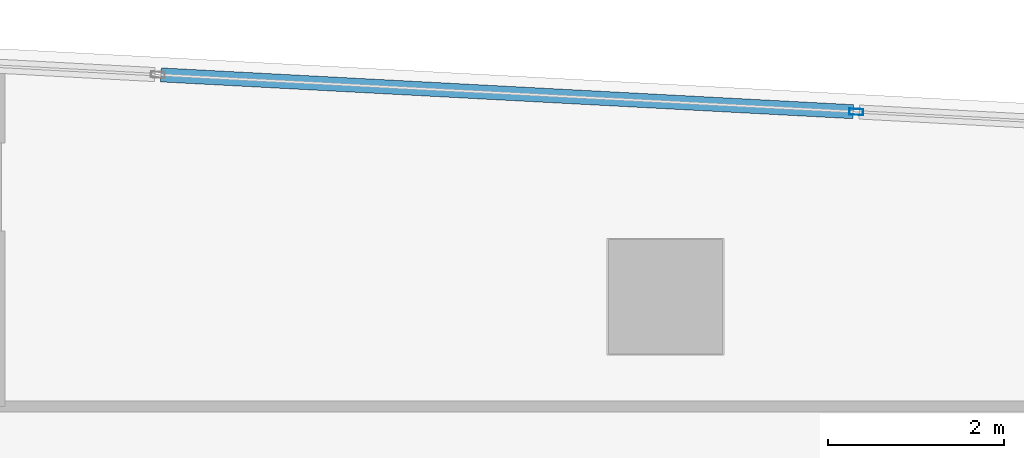
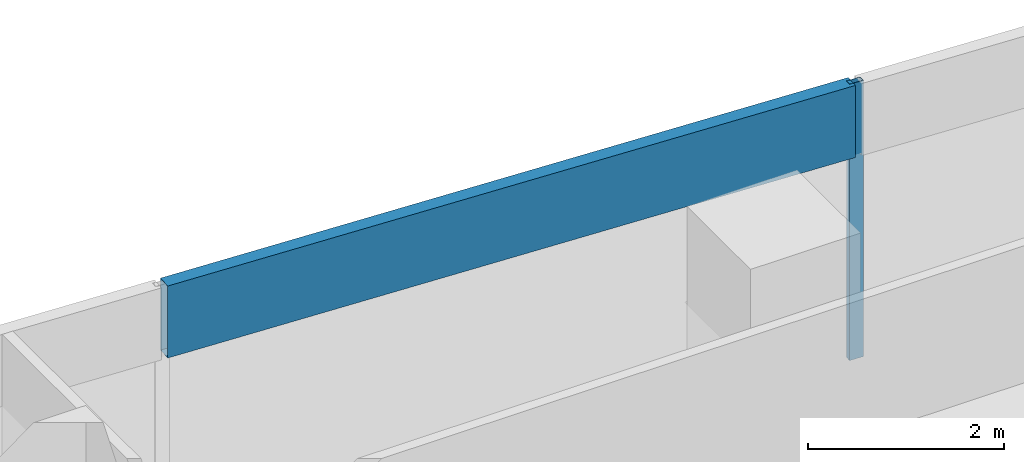
# One storey, part 18 of 30: 2 members, 1 element without a shape of its own.
"""IFC4 building model written with IfcOpenShell, lengths in metres."""

from ifc_helpers import new_model, si_unit, direction, frame, origin, origin_2d, place, context, subcontext, project, spatial, hollow_rectangle, extrude, material, material_profile, profile_set, type_object, element, aggregate, save


model = new_model("IFC4")

# Units and contexts
model_context = context("Model", 3, precision=1e-05, world=origin(), true_north=direction((0.0, 1.0)))
body_context = subcontext(model_context, "Body", "Model", "MODEL_VIEW")
ifc_project = project(units=[si_unit("LENGTHUNIT", "METRE"), si_unit("AREAUNIT", "SQUARE_METRE"), si_unit("VOLUMEUNIT", "CUBIC_METRE"), si_unit("PLANEANGLEUNIT", "RADIAN"), si_unit("MASSUNIT", "GRAM", prefix="KILO")], contexts=[model_context])

# Site, building, storey
site_placement = place(None, origin())
site = spatial("IfcSite", under=ifc_project, at=site_placement, CompositionType="ELEMENT")
building_placement = place(site_placement, origin())
building = spatial("IfcBuilding", under=site, at=building_placement, Name="Rekha Terrace Tower", CompositionType="ELEMENT")
storey_placement = place(building_placement, frame((0.0, 0.0, 287.60009765625)))
storey = spatial("IfcBuildingStorey", under=building, at=storey_placement, Name="L73", CompositionType="ELEMENT", Elevation=287.60009765625)

# Curtain wall, members
ifc_material_1 = material(Name="Aluminium framing", Category="aluminium")
curtain_wall_type = type_object("IfcCurtainWallType", Name="CW3 north unitised glazing", PredefinedType="USERDEFINED", material=ifc_material_1)
curtain_wall_placement = place(storey_placement, origin())
curtain_wall = element("IfcCurtainWall", 1, at=curtain_wall_placement, inside=storey, type_object=curtain_wall_type, Name="CW3 unitised curtain wall", ObjectType="UNITISED CURTAIN WALL", PredefinedType="USERDEFINED")
ifc_material_2 = material(Name="Aluminium mullion section", Category="aluminium")
ifc_material_profile_1 = material_profile(ifc_material_2, hollow_rectangle(XDim=0.070068359375, YDim=0.159912109375, WallThickness=0.00390625, at=origin_2d()), Name="AL RHS 70x160")
ifc_profile_set_1 = profile_set([ifc_material_profile_1], Name="Aluminium mullion section")
member_type_1 = type_object("IfcMemberType", Name="CW3 mullion RHS 70 x 160", PredefinedType="MULLION", material=ifc_profile_set_1)
member_1_placement = place(storey_placement, frame((44.1728515625, 52.50439453125, 0.0), z_axis=(0.0, 0.0, 1.0), x_axis=(-0.053083275524, -0.998590089005, 0.0)))
member_1 = element("IfcMember", 2, at=member_1_placement, type_object=member_type_1, Name="CW3 mullion 3", PredefinedType="MULLION", context=body_context, shape_type="SweptSolid", body=[
    extrude(hollow_rectangle(XDim=0.070068359375, YDim=0.159912109375, WallThickness=0.00390625, at=origin_2d()), origin(), (0.0, 0.0, 1.0), 3.449951171875),
])
ifc_material_3 = material(Name="Insulated aluminium spandrel box", Category="aluminium")
ifc_material_profile_2 = material_profile(ifc_material_3, hollow_rectangle(XDim=0.159912109375, YDim=0.89990234375, WallThickness=0.0029296875, at=origin_2d()), Name="AL SPANDREL BOX 160x900")
ifc_profile_set_2 = profile_set([ifc_material_profile_2], Name="Insulated aluminium spandrel box")
member_type_2 = type_object("IfcMemberType", Name="CW3 spandrel transom 160 x 900", PredefinedType="USERDEFINED", material=ifc_profile_set_2)
member_2_placement = place(storey_placement, frame((44.137939453125, 52.506103515625, 3.0), z_axis=(-0.998589828491, 0.053088176024, 0.0), x_axis=(-0.053088176024, -0.998589828491, 0.0)))
member_2 = element("IfcMember", 3, at=member_2_placement, type_object=member_type_2, Name="CW3 spandrel transom 3", ObjectType="TRANSOM", PredefinedType="USERDEFINED", context=body_context, shape_type="SweptSolid", body=[
    extrude(hollow_rectangle(XDim=0.159912109375, YDim=0.89990234375, WallThickness=0.0029296875, at=origin_2d()), origin(), (0.0, 0.0, 1.0), 7.8916015625),
])
aggregate(curtain_wall, [member_1, member_2])

save(model, "model.ifc")
